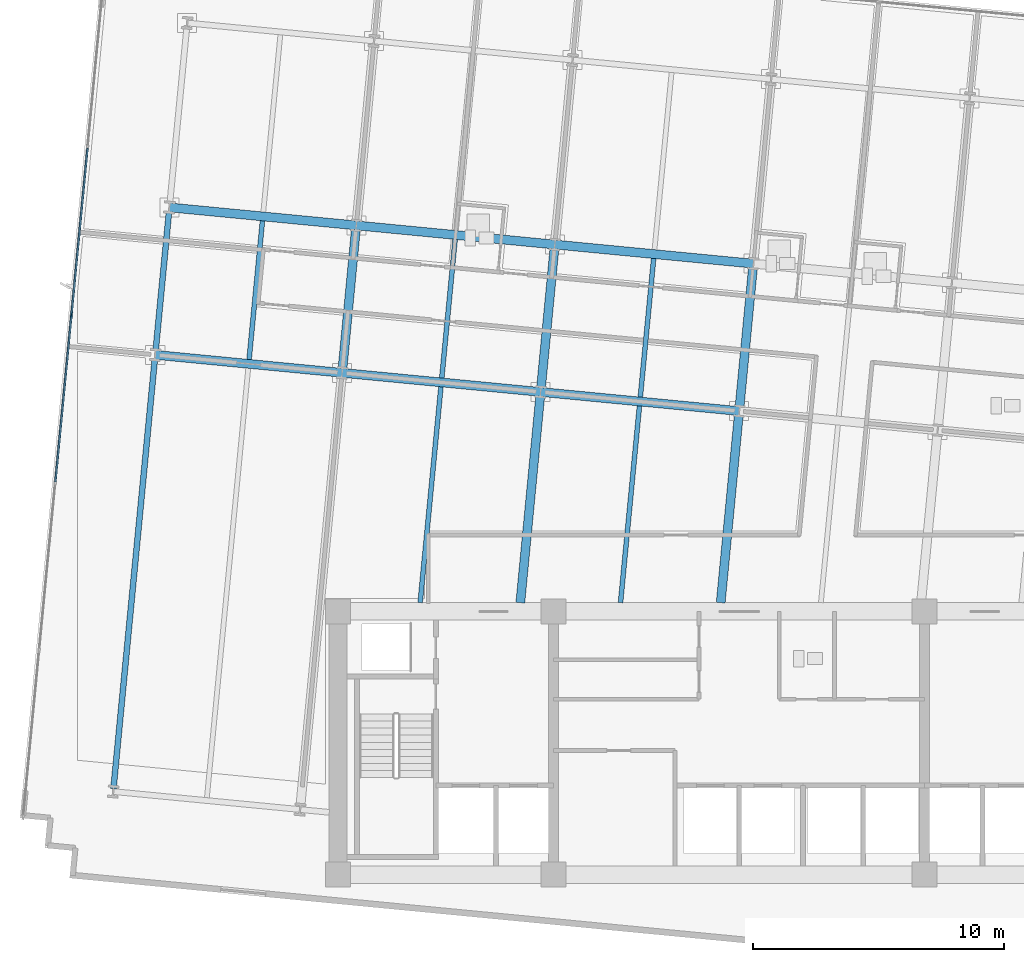
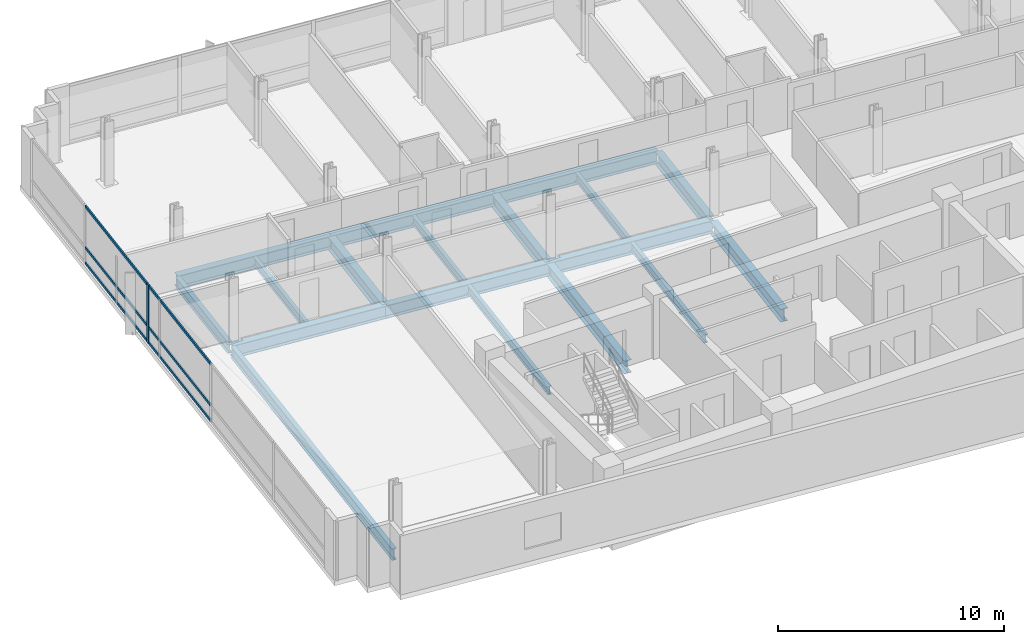
# One storey, part 4 of 17: 18 beams, 7 members, 1 element without a shape of its own.
"""IFC4 building model written with IfcOpenShell, lengths in metres."""

from ifc_helpers import new_model, si_unit, direction, frame, origin, origin_2d, place, context, subcontext, project, spatial, rectangle, i_section, extrude, material, material_profile, profile_set, type_object, element, aggregate, save


model = new_model("IFC4")

# Units and contexts
model_context = context("Model", 3, precision=1e-05, world=origin(), true_north=direction((0.0, 1.0)))
body_context = subcontext(model_context, "Body", "Model", "MODEL_VIEW")
ifc_project = project(units=[si_unit("LENGTHUNIT", "METRE"), si_unit("AREAUNIT", "SQUARE_METRE"), si_unit("VOLUMEUNIT", "CUBIC_METRE"), si_unit("PLANEANGLEUNIT", "RADIAN"), si_unit("MASSUNIT", "GRAM", prefix="KILO")], contexts=[model_context])

# Site, building, storey
site_placement = place(None, origin())
site = spatial("IfcSite", under=ifc_project, at=site_placement, CompositionType="ELEMENT")
building_placement = place(site_placement, origin())
building = spatial("IfcBuilding", under=site, at=building_placement, Name="Solmavex Isthmus Hotel", CompositionType="ELEMENT")
storey_placement = place(building_placement, frame((0.0, 0.0, 173.85009765625)))
storey = spatial("IfcBuildingStorey", under=building, at=storey_placement, Name="L47", CompositionType="ELEMENT", Elevation=173.85009765625)

# Beams
ifc_material_1 = material(Name="Steel ASTM A992 Grade 50", Category="steel")
ifc_material_profile_1 = material_profile(ifc_material_1, i_section(OverallWidth=0.354736328125, OverallDepth=0.695556640625, WebThickness=0.015380859375, FlangeThickness=0.02490234375, FilletRadius=0.017822265625, at=origin_2d()), Name="W27X146")
ifc_profile_set_1 = profile_set([ifc_material_profile_1], Name="Steel ASTM A992 Grade 50")
beam_type_1 = type_object("IfcBeamType", Name="BM-BG-W27X146", PredefinedType="BEAM", material=ifc_profile_set_1)
beam_1_placement = place(storey_placement, frame((-23.291015625, 7.733154296875, -0.60791015625), z_axis=(0.995395279593, -0.095855293875, 0.0), x_axis=(0.095855293875, 0.995395279593, 0.0)))
element("IfcBeam", 1, at=beam_1_placement, inside=storey, type_object=beam_type_1, Name="Floor Girder L47-UG03", PredefinedType="BEAM", context=body_context, shape_type="SweptSolid", body=[
    extrude(i_section(OverallWidth=0.354736328125, OverallDepth=0.695556640625, WebThickness=0.015380859375, FlangeThickness=0.02490234375, FilletRadius=0.017822265625, at=origin_2d()), origin(), (0.0, 0.0, 1.0), 7.488037109375),
])
beam_2_placement = place(storey_placement, frame((-15.83740234375, 7.015380859375, -0.60791015625), z_axis=(0.995397158178, -0.095835783981, 0.0), x_axis=(0.095835783981, 0.995397158178, 0.0)))
element("IfcBeam", 2, at=beam_2_placement, inside=storey, type_object=beam_type_1, Name="Floor Girder L47-UG04", PredefinedType="BEAM", context=body_context, shape_type="SweptSolid", body=[
    extrude(i_section(OverallWidth=0.354736328125, OverallDepth=0.695556640625, WebThickness=0.015380859375, FlangeThickness=0.02490234375, FilletRadius=0.017822265625, at=origin_2d()), origin(), (0.0, 0.0, 1.0), 7.955810546875),
])
beam_3_placement = place(storey_placement, frame((-7.918212890625, 6.2529296875, -0.60791015625), z_axis=(0.995394512348, -0.095863260885, 0.0), x_axis=(0.095863260885, 0.995394512348, 0.0)))
element("IfcBeam", 3, at=beam_3_placement, inside=storey, type_object=beam_type_1, Name="Floor Girder L47-UG05", PredefinedType="BEAM", context=body_context, shape_type="SweptSolid", body=[
    extrude(i_section(OverallWidth=0.354736328125, OverallDepth=0.695556640625, WebThickness=0.015380859375, FlangeThickness=0.02490234375, FilletRadius=0.017822265625, at=origin_2d()), origin(), (0.0, 0.0, 1.0), 7.9560546875),
])
beam_4_placement = place(storey_placement, frame((-22.724853515625, 13.614013671875, -0.60791015625), z_axis=(0.995395279593, -0.095855293875, 0.0), x_axis=(0.095855293875, 0.995395279593, 0.0)))
element("IfcBeam", 4, at=beam_4_placement, inside=storey, type_object=beam_type_1, Name="Floor Girder L47-UG09", PredefinedType="BEAM", context=body_context, shape_type="SweptSolid", body=[
    extrude(i_section(OverallWidth=0.354736328125, OverallDepth=0.695556640625, WebThickness=0.015380859375, FlangeThickness=0.02490234375, FilletRadius=0.017822265625, at=origin_2d()), origin(), (0.0, 0.0, 1.0), 7.488037109375),
])
for number, where, z_axis, x_axis, name in (
    (5, (-15.271240234375, 12.896240234375, -0.60791015625), (0.995397440011, -0.095832856685, 0.0), (0.095832856685, 0.995397440011, 0.0), "Floor Girder L47-UG10"),
    (6, (-7.351806640625, 12.1337890625, -0.60791015625), (0.995394512348, -0.095863260885, 0.0), (0.095863260885, 0.995394512348, 0.0), "Floor Girder L47-UG11"),
):
    element("IfcBeam", number, at=place(storey_placement, frame(where, z_axis=z_axis, x_axis=x_axis)), inside=storey, type_object=beam_type_1, Name=name, PredefinedType="BEAM", context=body_context, shape_type="SweptSolid", body=[
        extrude(i_section(OverallWidth=0.354736328125, OverallDepth=0.695556640625, WebThickness=0.015380859375, FlangeThickness=0.02490234375, FilletRadius=0.017822265625, at=origin_2d()), origin(), (0.0, 0.0, 1.0), 7.9560546875),
    ])
beam_5_placement = place(storey_placement, frame((-15.820556640625, 7.19189453125, -0.60791015625), z_axis=(0.095838058801, 0.995396939158, 0.0), x_axis=(-0.995396939158, 0.095838058801, 0.0)))
element("IfcBeam", 7, at=beam_5_placement, inside=storey, type_object=beam_type_1, Name="Floor Beam L47-VG25", PredefinedType="BEAM", context=body_context, shape_type="SweptSolid", body=[
    extrude(i_section(OverallWidth=0.354736328125, OverallDepth=0.695556640625, WebThickness=0.015380859375, FlangeThickness=0.02490234375, FilletRadius=0.017822265625, at=origin_2d()), origin(), (0.0, 0.0, 1.0), 5.553466796875),
])
beam_6_placement = place(storey_placement, frame((-8.727294921875, -2.14990234375, -0.60791015625), z_axis=(0.095861573524, 0.995394674851, 0.0), x_axis=(-0.995394674851, 0.095861573524, 0.0)))
element("IfcBeam", 8, at=beam_6_placement, inside=storey, type_object=beam_type_1, Name="Floor Beam L47-VG27", PredefinedType="BEAM", context=body_context, shape_type="SweptSolid", body=[
    extrude(i_section(OverallWidth=0.354736328125, OverallDepth=0.695556640625, WebThickness=0.015380859375, FlangeThickness=0.02490234375, FilletRadius=0.017822265625, at=origin_2d()), origin(), (0.0, 0.0, 1.0), 8.264404296875),
])
beam_7_placement = place(storey_placement, frame((-7.901123046875, 6.429443359375, -0.60791015625), z_axis=(0.095842252862, 0.99539653534, 0.0), x_axis=(-0.99539653534, 0.095842252862, 0.0)))
element("IfcBeam", 9, at=beam_7_placement, inside=storey, type_object=beam_type_1, Name="Floor Beam L47-VG28", PredefinedType="BEAM", context=body_context, shape_type="SweptSolid", body=[
    extrude(i_section(OverallWidth=0.354736328125, OverallDepth=0.695556640625, WebThickness=0.015380859375, FlangeThickness=0.02490234375, FilletRadius=0.017822265625, at=origin_2d()), origin(), (0.0, 0.0, 1.0), 5.55322265625),
])
beam_8_placement = place(storey_placement, frame((-0.734375, -2.14990234375, -0.60791015625), z_axis=(0.095856963455, 0.995395118813, 0.0), x_axis=(-0.995395118813, 0.095856963455, 0.0)))
element("IfcBeam", 10, at=beam_8_placement, inside=storey, type_object=beam_type_1, Name="Floor Beam L47-VG30", PredefinedType="BEAM", context=body_context, shape_type="SweptSolid", body=[
    extrude(i_section(OverallWidth=0.354736328125, OverallDepth=0.695556640625, WebThickness=0.015380859375, FlangeThickness=0.02490234375, FilletRadius=0.017822265625, at=origin_2d()), origin(), (0.0, 0.0, 1.0), 7.498046875),
])
beam_9_placement = place(storey_placement, frame((0.018310546875, 5.6669921875, -0.60791015625), z_axis=(0.095842252862, 0.99539653534, 0.0), x_axis=(-0.99539653534, 0.095842252862, 0.0)))
element("IfcBeam", 11, at=beam_9_placement, inside=storey, type_object=beam_type_1, Name="Floor Beam L47-VG31", PredefinedType="BEAM", context=body_context, shape_type="SweptSolid", body=[
    extrude(i_section(OverallWidth=0.354736328125, OverallDepth=0.695556640625, WebThickness=0.015380859375, FlangeThickness=0.02490234375, FilletRadius=0.017822265625, at=origin_2d()), origin(), (0.0, 0.0, 1.0), 5.55322265625),
])
ifc_material_profile_2 = material_profile(ifc_material_1, i_section(OverallWidth=0.1904296875, OverallDepth=0.456787109375, WebThickness=0.009033203125, FlangeThickness=0.014404296875, FilletRadius=0.0126953125, at=origin_2d()), Name="W18X50")
ifc_profile_set_2 = profile_set([ifc_material_profile_2], Name="Steel ASTM A992 Grade 50")
beam_type_2 = type_object("IfcBeamType", Name="BM-BJ-W18X50", PredefinedType="JOIST", material=ifc_profile_set_2)
beam_10_placement = place(storey_placement, frame((-19.547119140625, 7.55078125, -0.488525390625), z_axis=(0.095842252862, 0.99539653534, 0.0), x_axis=(-0.99539653534, 0.095842252862, 0.0)))
element("IfcBeam", 12, at=beam_10_placement, inside=storey, type_object=beam_type_2, Name="Secondary Floor Joist L47-J02", PredefinedType="JOIST", context=body_context, shape_type="SweptSolid", body=[
    extrude(i_section(OverallWidth=0.1904296875, OverallDepth=0.456787109375, WebThickness=0.009033203125, FlangeThickness=0.014404296875, FilletRadius=0.0126953125, at=origin_2d()), origin(), (0.0, 0.0, 1.0), 5.55322265625),
])
beam_11_placement = place(storey_placement, frame((-12.7236328125, -2.14990234375, -0.488525390625), z_axis=(0.095852279322, 0.995395569886, 0.0), x_axis=(-0.995395569886, 0.095852279322, 0.0)))
element("IfcBeam", 13, at=beam_11_placement, inside=storey, type_object=beam_type_2, Name="Secondary Floor Joist L47-J04", PredefinedType="JOIST", context=body_context, shape_type="SweptSolid", body=[
    extrude(i_section(OverallWidth=0.1904296875, OverallDepth=0.456787109375, WebThickness=0.009033203125, FlangeThickness=0.014404296875, FilletRadius=0.0126953125, at=origin_2d()), origin(), (0.0, 0.0, 1.0), 8.647216796875),
])
beam_12_placement = place(storey_placement, frame((-11.86083984375, 6.810791015625, -0.488525390625), z_axis=(0.095842252862, 0.99539653534, 0.0), x_axis=(-0.99539653534, 0.095842252862, 0.0)))
element("IfcBeam", 14, at=beam_12_placement, inside=storey, type_object=beam_type_2, Name="Secondary Floor Joist L47-J05", PredefinedType="JOIST", context=body_context, shape_type="SweptSolid", body=[
    extrude(i_section(OverallWidth=0.1904296875, OverallDepth=0.456787109375, WebThickness=0.009033203125, FlangeThickness=0.014404296875, FilletRadius=0.0126953125, at=origin_2d()), origin(), (0.0, 0.0, 1.0), 5.55322265625),
])
beam_13_placement = place(storey_placement, frame((-4.730712890625, -2.14990234375, -0.488525390625), z_axis=(0.09584403416, 0.995396363825, 0.0), x_axis=(-0.995396363825, 0.09584403416, 0.0)))
element("IfcBeam", 15, at=beam_13_placement, inside=storey, type_object=beam_type_2, Name="Secondary Floor Joist L47-J07", PredefinedType="JOIST", context=body_context, shape_type="SweptSolid", body=[
    extrude(i_section(OverallWidth=0.1904296875, OverallDepth=0.456787109375, WebThickness=0.009033203125, FlangeThickness=0.014404296875, FilletRadius=0.0126953125, at=origin_2d()), origin(), (0.0, 0.0, 1.0), 7.88134765625),
])
beam_14_placement = place(storey_placement, frame((-3.94140625, 6.048095703125, -0.488525390625), z_axis=(0.095838058801, 0.995396939158, 0.0), x_axis=(-0.995396939158, 0.095838058801, 0.0)))
element("IfcBeam", 16, at=beam_14_placement, inside=storey, type_object=beam_type_2, Name="Secondary Floor Joist L47-J08", PredefinedType="JOIST", context=body_context, shape_type="SweptSolid", body=[
    extrude(i_section(OverallWidth=0.1904296875, OverallDepth=0.456787109375, WebThickness=0.009033203125, FlangeThickness=0.014404296875, FilletRadius=0.0126953125, at=origin_2d()), origin(), (0.0, 0.0, 1.0), 5.553466796875),
])
ifc_material_profile_3 = material_profile(ifc_material_1, i_section(OverallWidth=0.230224609375, OverallDepth=0.617431640625, WebThickness=0.01318359375, FlangeThickness=0.022216796875, FilletRadius=0.01513671875, at=origin_2d()), Name="W24X94")
ifc_profile_set_3 = profile_set([ifc_material_profile_3], Name="Steel ASTM A992 Grade 50")
beam_type_3 = type_object("IfcBeamType", Name="BM-SP-W24X94", PredefinedType="SPANDREL", material=ifc_profile_set_3)
beam_15_placement = place(storey_placement, frame((-24.957275390625, -9.571533203125, -0.56884765625), z_axis=(0.095840821687, 0.99539667314, 0.0), x_axis=(-0.99539667314, 0.095840821687, 0.0)))
element("IfcBeam", 17, at=beam_15_placement, inside=storey, type_object=beam_type_3, Name="Floor Beam L47-VG21", PredefinedType="SPANDREL", context=body_context, shape_type="SweptSolid", body=[
    extrude(i_section(OverallWidth=0.230224609375, OverallDepth=0.617431640625, WebThickness=0.01318359375, FlangeThickness=0.022216796875, FilletRadius=0.01513671875, at=origin_2d()), origin(), (0.0, 0.0, 1.0), 17.207275390625),
])
beam_16_placement = place(storey_placement, frame((-23.27392578125, 7.90966796875, -0.56884765625), z_axis=(0.095842252862, 0.99539653534, 0.0), x_axis=(-0.99539653534, 0.095842252862, 0.0)))
element("IfcBeam", 18, at=beam_16_placement, inside=storey, type_object=beam_type_3, Name="Floor Beam L47-VG22", PredefinedType="SPANDREL", context=body_context, shape_type="SweptSolid", body=[
    extrude(i_section(OverallWidth=0.230224609375, OverallDepth=0.617431640625, WebThickness=0.01318359375, FlangeThickness=0.022216796875, FilletRadius=0.01513671875, at=origin_2d()), origin(), (0.0, 0.0, 1.0), 5.55322265625),
])

# Curtain wall, members
ifc_material_2 = material(Name="Aluminium alloy 6063-T6", Category="aluminium")
curtain_wall_type = type_object("IfcCurtainWallType", Name="CW-SYS-03", PredefinedType="NOTDEFINED", material=ifc_material_2)
curtain_wall_placement = place(storey_placement, origin())
curtain_wall = element("IfcCurtainWall", 19, at=curtain_wall_placement, inside=storey, type_object=curtain_wall_type, Name="Stick Curtain Wall CWL-L47-W1", PredefinedType="NOTDEFINED")
ifc_material_profile_4 = material_profile(ifc_material_2, rectangle(XDim=0.070068359375, YDim=0.179931640625, at=origin_2d()), Name="CWM-70X180")
ifc_profile_set_4 = profile_set([ifc_material_profile_4], Name="Aluminium alloy 6063-T6")
member_type_1 = type_object("IfcMemberType", Name="CW-SYS-03-MUL", PredefinedType="MULLION", material=ifc_profile_set_4)
member_1_placement = place(storey_placement, frame((-26.63427734375, 9.32080078125, 0.0), z_axis=(0.0, 0.0, 1.0), x_axis=(-0.995396190038, 0.09584583902, 0.0)))
member_1 = element("IfcMember", 20, at=member_1_placement, type_object=member_type_1, Name="CW-03 mullion 4", PredefinedType="MULLION", context=body_context, shape_type="SweptSolid", body=[
    extrude(rectangle(XDim=0.070068359375, YDim=0.179931640625, at=origin_2d()), origin(), (0.0, 0.0, 1.0), 3.18994140625),
])
ifc_material_profile_5 = material_profile(ifc_material_2, rectangle(XDim=0.070068359375, YDim=0.139892578125, at=origin_2d()), Name="CWT-70X140")
ifc_profile_set_5 = profile_set([ifc_material_profile_5], Name="Aluminium alloy 6063-T6")
member_type_2 = type_object("IfcMemberType", Name="CW-SYS-03-TRN", PredefinedType="USERDEFINED", material=ifc_profile_set_5)
member_2_placement = place(storey_placement, frame((-27.27490234375, 2.666748046875, 0.06982421875), z_axis=(0.095857212138, 0.995395094865, 0.0), x_axis=(-0.995395094865, 0.095857212138, 0.0)))
member_2 = element("IfcMember", 21, at=member_2_placement, type_object=member_type_2, Name="CW-03 transom 3.1", ObjectType="TRANSOM", PredefinedType="USERDEFINED", context=body_context, shape_type="SweptSolid", body=[
    extrude(rectangle(XDim=0.070068359375, YDim=0.139892578125, at=origin_2d()), origin(), (0.0, 0.0, 1.0), 6.64990234375),
])
member_3_placement = place(storey_placement, frame((-27.27490234375, 2.666748046875, 0.89990234375), z_axis=(0.095857212138, 0.995395094865, 0.0), x_axis=(-0.995395094865, 0.095857212138, 0.0)))
member_3 = element("IfcMember", 22, at=member_3_placement, type_object=member_type_2, Name="CW-03 transom 3.2", ObjectType="TRANSOM", PredefinedType="USERDEFINED", context=body_context, shape_type="SweptSolid", body=[
    extrude(rectangle(XDim=0.070068359375, YDim=0.139892578125, at=origin_2d()), origin(), (0.0, 0.0, 1.0), 6.64990234375),
])
member_4_placement = place(storey_placement, frame((-27.27490234375, 2.666748046875, 3.119873046875), z_axis=(0.095857212138, 0.995395094865, 0.0), x_axis=(-0.995395094865, 0.095857212138, 0.0)))
member_4 = element("IfcMember", 23, at=member_4_placement, type_object=member_type_2, Name="CW-03 transom 3.3", ObjectType="TRANSOM", PredefinedType="USERDEFINED", context=body_context, shape_type="SweptSolid", body=[
    extrude(rectangle(XDim=0.070068359375, YDim=0.139892578125, at=origin_2d()), origin(), (0.0, 0.0, 1.0), 6.64990234375),
])
member_5_placement = place(storey_placement, frame((-26.630859375, 9.355712890625, 0.06982421875), z_axis=(0.095857212138, 0.995395094865, 0.0), x_axis=(-0.995395094865, 0.095857212138, 0.0)))
member_5 = element("IfcMember", 24, at=member_5_placement, type_object=member_type_2, Name="CW-03 transom 4.1", ObjectType="TRANSOM", PredefinedType="USERDEFINED", context=body_context, shape_type="SweptSolid", body=[
    extrude(rectangle(XDim=0.070068359375, YDim=0.139892578125, at=origin_2d()), origin(), (0.0, 0.0, 1.0), 6.64990234375),
])
member_6_placement = place(storey_placement, frame((-26.630859375, 9.355712890625, 0.89990234375), z_axis=(0.095857212138, 0.995395094865, 0.0), x_axis=(-0.995395094865, 0.095857212138, 0.0)))
member_6 = element("IfcMember", 25, at=member_6_placement, type_object=member_type_2, Name="CW-03 transom 4.2", ObjectType="TRANSOM", PredefinedType="USERDEFINED", context=body_context, shape_type="SweptSolid", body=[
    extrude(rectangle(XDim=0.070068359375, YDim=0.139892578125, at=origin_2d()), origin(), (0.0, 0.0, 1.0), 6.64990234375),
])
member_7_placement = place(storey_placement, frame((-26.630859375, 9.355712890625, 3.119873046875), z_axis=(0.095857212138, 0.995395094865, 0.0), x_axis=(-0.995395094865, 0.095857212138, 0.0)))
member_7 = element("IfcMember", 26, at=member_7_placement, type_object=member_type_2, Name="CW-03 transom 4.3", ObjectType="TRANSOM", PredefinedType="USERDEFINED", context=body_context, shape_type="SweptSolid", body=[
    extrude(rectangle(XDim=0.070068359375, YDim=0.139892578125, at=origin_2d()), origin(), (0.0, 0.0, 1.0), 6.64990234375),
])
aggregate(curtain_wall, [member_1, member_2, member_3, member_4, member_5, member_6, member_7])

save(model, "model.ifc")
